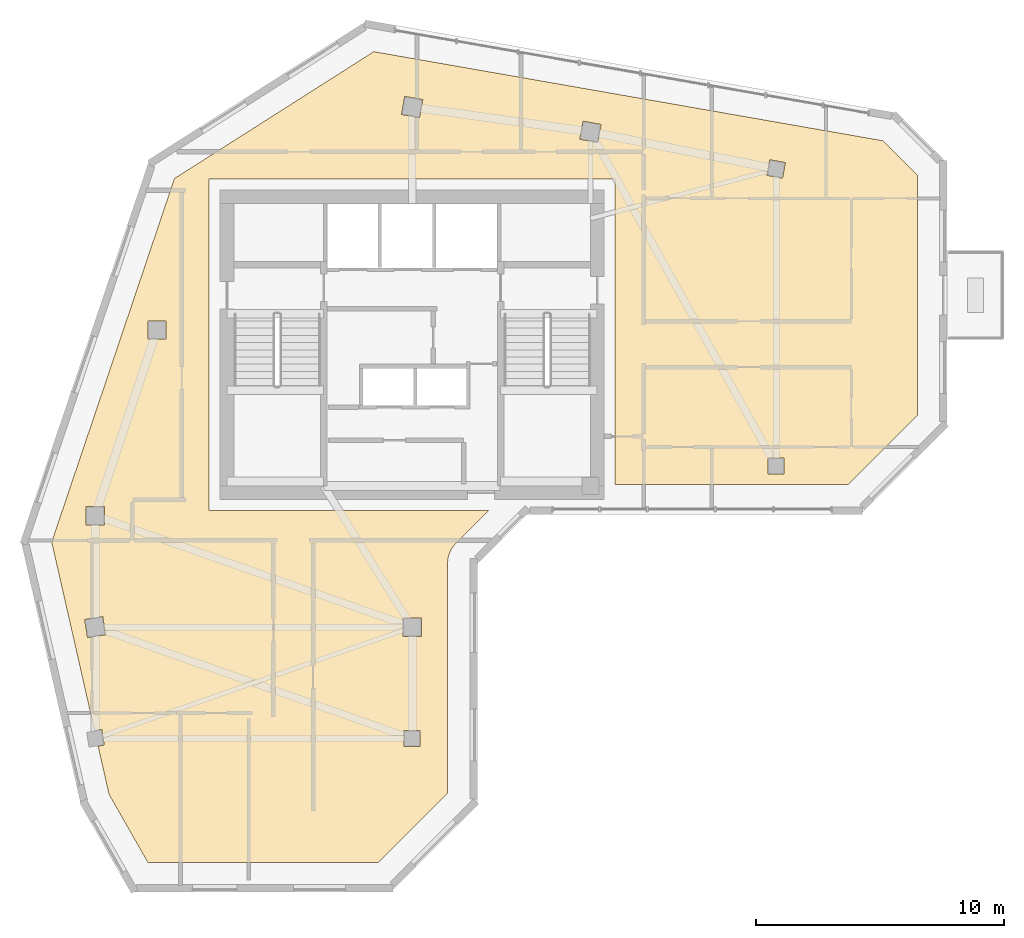
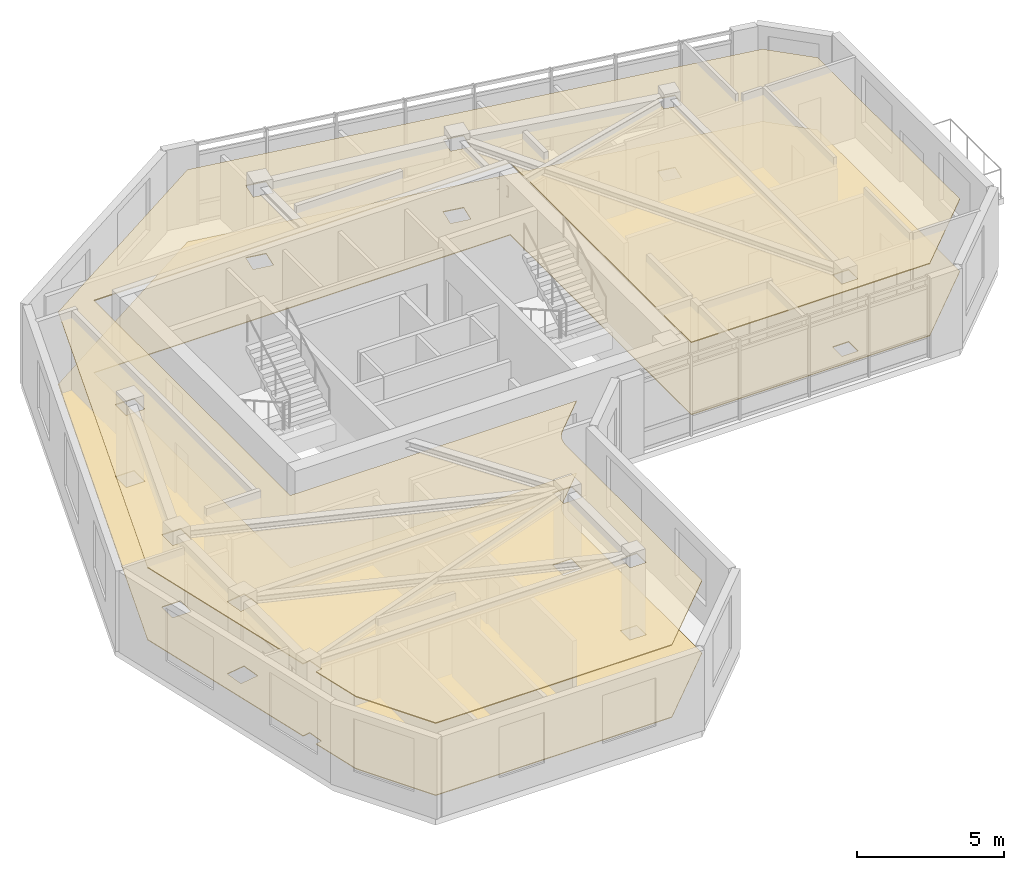
# One storey, part 8 of 9: 2 coverings.
"""IFC4 building model written with IfcOpenShell, lengths in metres."""

from ifc_helpers import new_model, si_unit, direction, frame, origin, place, context, subcontext, project, spatial, polyline, outline, extrude, material, layer, layer_set, type_object, element, save


model = new_model("IFC4")

# Units and contexts
model_context = context("Model", 3, precision=1e-05, world=origin(), true_north=direction((0.0, 1.0)))
body_context = subcontext(model_context, "Body", "Model", "MODEL_VIEW")
ifc_project = project(units=[si_unit("LENGTHUNIT", "METRE"), si_unit("AREAUNIT", "SQUARE_METRE"), si_unit("VOLUMEUNIT", "CUBIC_METRE"), si_unit("PLANEANGLEUNIT", "RADIAN"), si_unit("MASSUNIT", "GRAM", prefix="KILO")], contexts=[model_context])

# Site, building, storey
site_placement = place(None, origin())
site = spatial("IfcSite", under=ifc_project, at=site_placement, CompositionType="ELEMENT")
building_placement = place(site_placement, origin())
building = spatial("IfcBuilding", under=site, at=building_placement, Name="Calvemar Wedge Station Tower", CompositionType="ELEMENT")
storey_placement = place(building_placement, frame((0.0, 0.0, 263.699951171875)))
storey = spatial("IfcBuildingStorey", under=building, at=storey_placement, Name="L67", CompositionType="ELEMENT", Elevation=263.699951171875)

# Coverings
ifc_material_1 = material(Name="Acoustic mineral fibre ceiling board")
ifc_layer_1 = layer(ifc_material_1, 0.0400390625)
ifc_layer_set_1 = layer_set([ifc_layer_1], Name="Acoustic mineral fibre ceiling board")
covering_type_1 = type_object("IfcCoveringType", Name="COV-CEIL-ACOUSTIC", PredefinedType="CEILING", material=ifc_layer_set_1)
covering_1_placement = place(storey_placement, frame((0.0, 0.0, 3.0)))
element("IfcCovering", 1, at=covering_1_placement, inside=storey, type_object=covering_type_1, Name="Storey L67 Acoustic Suspended Ceiling", PredefinedType="CEILING", context=body_context, shape_type="SweptSolid", body=[
    extrude(outline(polyline([(15.60009765625, 33.199951171875), (15.60009765625, 46.60009765625), (32.0, 46.60009765625), (32.0, 34.256103515625), (41.40283203125, 34.256103515625), (44.199951171875, 37.052978515625), (44.199951171875, 46.7587890625), (42.819580078125, 48.139404296875), (22.251708984375, 51.73779296875), (14.201416015625, 46.614990234375), (9.2451171875, 31.936279296875), (10.97607421875, 24.3203125), (11.265380859375, 24.36669921875), (11.36669921875, 23.734619140625), (11.118408203125, 23.69482421875), (11.5625, 21.740234375), (13.12841796875, 19.0), (22.434814453125, 19.0), (25.23193359375, 21.797119140625), (25.23193359375, 31.055908203125), (25.23779296875, 31.173583984375), (25.255126953125, 31.2900390625), (25.28369140625, 31.404296875), (25.3232421875, 31.51513671875), (25.373779296875, 31.62158203125), (25.43408203125, 31.72265625), (25.50439453125, 31.8173828125), (25.58349609375, 31.904541015625), (26.87890625, 33.199951171875), (15.60009765625, 33.199951171875)]), holes=[polyline([(11.3701171875, 33.3701171875), (11.3701171875, 32.6298828125), (10.6298828125, 32.6298828125), (10.6298828125, 33.3701171875), (11.3701171875, 33.3701171875)]), polyline([(13.8701171875, 40.1298828125), (13.1298828125, 40.1298828125), (13.1298828125, 40.8701171875), (13.8701171875, 40.8701171875), (13.8701171875, 40.1298828125)]), polyline([(23.370361328125, 49.201416015625), (23.50146484375, 49.9296875), (24.229736328125, 49.798583984375), (24.0986328125, 49.0703125), (23.370361328125, 49.201416015625)]), polyline([(30.701416015625, 48.9296875), (31.4296875, 48.798583984375), (31.298583984375, 48.0703125), (30.5703125, 48.201416015625), (30.701416015625, 48.9296875)]), polyline([(38.87158203125, 47.25830078125), (38.75830078125, 46.62841796875), (38.12841796875, 46.74169921875), (38.24169921875, 47.37158203125), (38.87158203125, 47.25830078125)]), polyline([(38.820068359375, 34.679931640625), (38.179931640625, 34.679931640625), (38.179931640625, 35.320068359375), (38.820068359375, 35.320068359375), (38.820068359375, 34.679931640625)]), polyline([(10.576171875, 28.806884765625), (11.306884765625, 28.923828125), (11.423828125, 28.193115234375), (10.693115234375, 28.076171875), (10.576171875, 28.806884765625)]), polyline([(24.169921875, 28.8701171875), (24.169921875, 28.1298828125), (23.429931640625, 28.1298828125), (23.429931640625, 28.8701171875), (24.169921875, 28.8701171875)]), polyline([(24.1201171875, 23.679931640625), (23.47998046875, 23.679931640625), (23.47998046875, 24.320068359375), (24.1201171875, 24.320068359375), (24.1201171875, 23.679931640625)])]), origin(), (0.0, 0.0, 1.0), 0.0400390625),
])
ifc_material_2 = material(Name="Honed coastal granite stone tile", Category="masonry")
ifc_layer_2 = layer(ifc_material_2, 0.030029296875)
ifc_layer_set_2 = layer_set([ifc_layer_2], Name="Honed coastal granite stone tile")
covering_type_2 = type_object("IfcCoveringType", Name="COV-FLR-STONE", PredefinedType="FLOORING", material=ifc_layer_set_2)
covering_2_placement = place(storey_placement, origin())
element("IfcCovering", 2, at=covering_2_placement, inside=storey, type_object=covering_type_2, Name="Storey L67 Architectural Floor Finish", PredefinedType="FLOORING", context=body_context, shape_type="SweptSolid", body=[
    extrude(outline(polyline([(15.60009765625, 33.199951171875), (15.60009765625, 46.60009765625), (32.0, 46.60009765625), (32.0, 34.256103515625), (41.40283203125, 34.256103515625), (44.199951171875, 37.052978515625), (44.199951171875, 46.7587890625), (42.819580078125, 48.139404296875), (22.251708984375, 51.73779296875), (14.201416015625, 46.614990234375), (9.2451171875, 31.936279296875), (10.97607421875, 24.3203125), (11.265380859375, 24.36669921875), (11.36669921875, 23.734619140625), (11.118408203125, 23.69482421875), (11.5625, 21.740234375), (13.12841796875, 19.0), (22.434814453125, 19.0), (25.23193359375, 21.797119140625), (25.23193359375, 31.055908203125), (25.23779296875, 31.173583984375), (25.255126953125, 31.2900390625), (25.28369140625, 31.404296875), (25.3232421875, 31.51513671875), (25.373779296875, 31.62158203125), (25.43408203125, 31.72265625), (25.50439453125, 31.8173828125), (25.58349609375, 31.904541015625), (26.87890625, 33.199951171875), (15.60009765625, 33.199951171875)]), holes=[polyline([(11.3701171875, 33.3701171875), (11.3701171875, 32.6298828125), (10.6298828125, 32.6298828125), (10.6298828125, 33.3701171875), (11.3701171875, 33.3701171875)]), polyline([(13.8701171875, 40.1298828125), (13.1298828125, 40.1298828125), (13.1298828125, 40.8701171875), (13.8701171875, 40.8701171875), (13.8701171875, 40.1298828125)]), polyline([(23.370361328125, 49.201416015625), (23.50146484375, 49.9296875), (24.229736328125, 49.798583984375), (24.0986328125, 49.0703125), (23.370361328125, 49.201416015625)]), polyline([(30.701416015625, 48.9296875), (31.4296875, 48.798583984375), (31.298583984375, 48.0703125), (30.5703125, 48.201416015625), (30.701416015625, 48.9296875)]), polyline([(38.87158203125, 47.25830078125), (38.75830078125, 46.62841796875), (38.12841796875, 46.74169921875), (38.24169921875, 47.37158203125), (38.87158203125, 47.25830078125)]), polyline([(38.820068359375, 34.679931640625), (38.179931640625, 34.679931640625), (38.179931640625, 35.320068359375), (38.820068359375, 35.320068359375), (38.820068359375, 34.679931640625)]), polyline([(10.576171875, 28.806884765625), (11.306884765625, 28.923828125), (11.423828125, 28.193115234375), (10.693115234375, 28.076171875), (10.576171875, 28.806884765625)]), polyline([(24.169921875, 28.8701171875), (24.169921875, 28.1298828125), (23.429931640625, 28.1298828125), (23.429931640625, 28.8701171875), (24.169921875, 28.8701171875)]), polyline([(24.1201171875, 23.679931640625), (23.47998046875, 23.679931640625), (23.47998046875, 24.320068359375), (24.1201171875, 24.320068359375), (24.1201171875, 23.679931640625)])]), origin(), (0.0, 0.0, 1.0), 0.030029296875),
])

save(model, "model.ifc")
